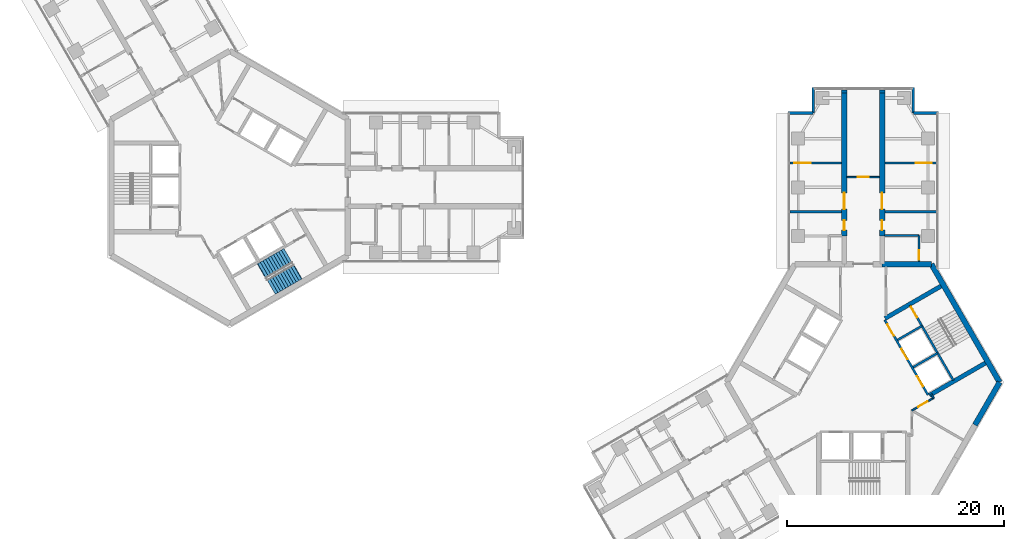
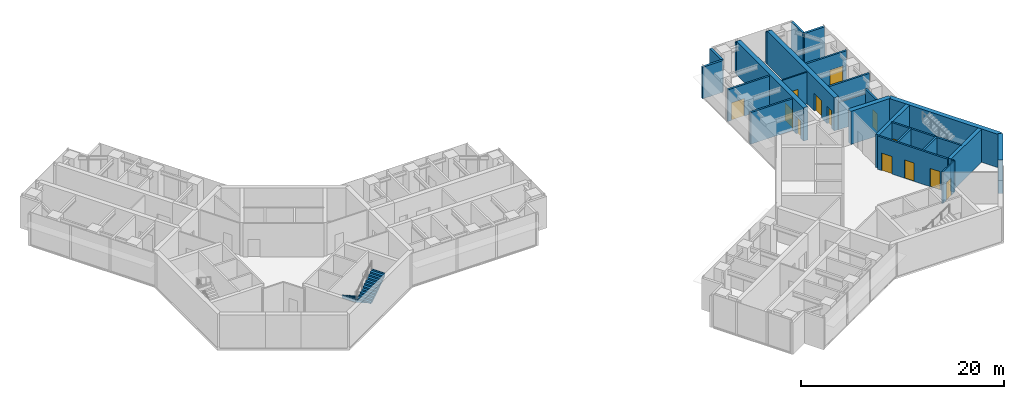
# One storey, part 15 of 17: 26 walls, 13 doors, 2 stair flights, 13 openings, 1 element without a shape of its own.
"""IFC4 building model written with IfcOpenShell, lengths in metres."""

from ifc_helpers import new_model, si_unit, direction, frame, frame_2d, origin, place, context, subcontext, project, spatial, polyline, rectangle, outline, extrude, material, layer, layer_set, type_object, element, fill, aggregate, save


model = new_model("IFC4")

# Units and contexts
model_context = context("Model", 3, precision=1e-05, world=origin(), true_north=direction((0.0, 1.0)))
body_context = subcontext(model_context, "Body", "Model", "MODEL_VIEW")
ifc_project = project(units=[si_unit("LENGTHUNIT", "METRE"), si_unit("AREAUNIT", "SQUARE_METRE"), si_unit("VOLUMEUNIT", "CUBIC_METRE"), si_unit("PLANEANGLEUNIT", "RADIAN"), si_unit("MASSUNIT", "GRAM", prefix="KILO")], contexts=[model_context])

# Site, building, storey
site_placement = place(None, origin())
site = spatial("IfcSite", under=ifc_project, at=site_placement, CompositionType="ELEMENT")
building_placement = place(site_placement, origin())
building = spatial("IfcBuilding", under=site, at=building_placement, Name="Upepo Twin Towers", CompositionType="ELEMENT")
storey_placement = place(building_placement, frame((0.0, 0.0, 186.5)))
storey = spatial("IfcBuildingStorey", under=building, at=storey_placement, Name="L45", CompositionType="ELEMENT", Elevation=186.5)

# Wall
ifc_material_1 = material(Name="Concrete blockwork, plastered both faces", Category="masonry")
ifc_layer_1 = layer(ifc_material_1, 0.215087890625)
ifc_layer_set_1 = layer_set([ifc_layer_1], Name="Blockwork partition 215")
wall_type_1 = type_object("IfcWallType", Name="Blockwork partition 215", PredefinedType="PARTITIONING", material=ifc_layer_set_1)
wall_1_placement = place(storey_placement, frame((56.5, -2.25, 0.0), z_axis=(0.0, 0.0, 1.0), x_axis=(-1.0, 0.0, 0.0)))
element("IfcWall", 1, at=wall_1_placement, inside=storey, type_object=wall_type_1, Name="T2 partition AL at 15.75", PredefinedType="PARTITIONING", context=body_context, shape_type="SweptSolid", body=[
    extrude(rectangle(XDim=4.75, YDim=0.215087890625, at=frame_2d((2.375, 0.0))), origin(), (0.0, 0.0, 1.0), 3.800048828125),
])

# Wall, opening, door
wall_2_placement = place(storey_placement, frame((56.5, 2.25, 0.0), z_axis=(0.0, 0.0, 1.0), x_axis=(-1.0, 0.0, 0.0)))
wall_2 = element("IfcWall", 2, at=wall_2_placement, inside=storey, type_object=wall_type_1, Name="T2 partition AL at 20.25", PredefinedType="PARTITIONING", context=body_context, shape_type="SweptSolid", body=[
    extrude(rectangle(XDim=4.75, YDim=0.215087890625, at=frame_2d((2.375, 0.0))), origin(), (0.0, 0.0, 1.0), 3.800048828125),
])
opening_1_placement = place(wall_2_placement, frame((2.85009765625, 0.0, 0.0)))
opening_1 = element("IfcOpeningElement", 3, at=opening_1_placement, cuts=wall_2, Name="Opening D13", PredefinedType="OPENING", context=body_context, shape_type="SweptSolid", body=[
    extrude(rectangle(XDim=1.5, YDim=2.10009765625, at=frame_2d((0.75, 1.050048828125))), frame((0.0, 0.117431640625, 0.0), z_axis=(0.0, -1.0, 0.0), x_axis=(1.0, 0.0, 0.0)), (0.0, 0.0, 1.0), 0.235107421875),
])
ifc_material_2 = material(Name="Timber doorset", Category="wood")
door_type_1 = type_object("IfcDoorType", Name="Double door 1500 FD30", OperationType="DOUBLE_DOOR_SINGLE_SWING", PredefinedType="DOOR", material=ifc_material_2)
door_1_placement = place(opening_1_placement, origin())
door_1 = element("IfcDoor", 4, at=door_1_placement, inside=storey, type_object=door_type_1, Name="T2 L45 connecting door", OperationType="DOUBLE_DOOR_SINGLE_SWING", OverallHeight=2.10009765625, OverallWidth=1.5, PredefinedType="DOOR", context=body_context, shape_type="SweptSolid", body=[
    extrude(rectangle(XDim=1.5, YDim=2.10009765625, at=frame_2d((0.75, 1.050048828125))), frame((0.0, 0.02490234375, 0.0), z_axis=(0.0, -1.0, 0.0), x_axis=(1.0, 0.0, 0.0)), (0.0, 0.0, 1.0), 0.050048828125),
])
fill(opening_1, door_1)

# Wall
wall_3_placement = place(storey_placement, frame((60.5, -2.25, 0.0), z_axis=(0.0, 0.0, 1.0), x_axis=(1.0, 0.0, 0.0)))
element("IfcWall", 5, at=wall_3_placement, inside=storey, type_object=wall_type_1, Name="T2 partition AR at 15.75", PredefinedType="PARTITIONING", context=body_context, shape_type="SweptSolid", body=[
    extrude(rectangle(XDim=4.75, YDim=0.215087890625, at=frame_2d((2.375, 0.0))), origin(), (0.0, 0.0, 1.0), 3.800048828125),
])

# Wall, opening, door
wall_4_placement = place(storey_placement, frame((60.5, 2.25, 0.0), z_axis=(0.0, 0.0, 1.0), x_axis=(1.0, 0.0, 0.0)))
wall_4 = element("IfcWall", 6, at=wall_4_placement, inside=storey, type_object=wall_type_1, Name="T2 partition AR at 20.25", PredefinedType="PARTITIONING", context=body_context, shape_type="SweptSolid", body=[
    extrude(rectangle(XDim=4.75, YDim=0.215087890625, at=frame_2d((2.375, 0.0))), origin(), (0.0, 0.0, 1.0), 3.800048828125),
])
opening_2_placement = place(wall_4_placement, frame((2.85009765625, 0.0, 0.0)))
opening_2 = element("IfcOpeningElement", 7, at=opening_2_placement, cuts=wall_4, Name="Opening D13", PredefinedType="OPENING", context=body_context, shape_type="SweptSolid", body=[
    extrude(rectangle(XDim=1.5, YDim=2.10009765625, at=frame_2d((0.75, 1.050048828125))), frame((0.0, 0.117431640625, 0.0), z_axis=(0.0, -1.0, 0.0), x_axis=(1.0, 0.0, 0.0)), (0.0, 0.0, 1.0), 0.235107421875),
])
door_2_placement = place(opening_2_placement, origin())
door_2 = element("IfcDoor", 8, at=door_2_placement, inside=storey, type_object=door_type_1, Name="T2 L45 connecting door", OperationType="DOUBLE_DOOR_SINGLE_SWING", OverallHeight=2.10009765625, OverallWidth=1.5, PredefinedType="DOOR", context=body_context, shape_type="SweptSolid", body=[
    extrude(rectangle(XDim=1.5, YDim=2.10009765625, at=frame_2d((0.75, 1.050048828125))), frame((0.0, 0.02490234375, 0.0), z_axis=(0.0, -1.0, 0.0), x_axis=(1.0, 0.0, 0.0)), (0.0, 0.0, 1.0), 0.050048828125),
])
fill(opening_2, door_2)

wall_5_placement = place(storey_placement, frame((63.64990234375, -6.842041015625, 0.0), z_axis=(0.0, 0.0, 1.0), x_axis=(0.0, 1.0, 0.0)))
wall_5 = element("IfcWall", 9, at=wall_5_placement, inside=storey, type_object=wall_type_1, Name="T2 WC bay partition AR at 11.16", PredefinedType="PARTITIONING", context=body_context, shape_type="SweptSolid", body=[
    extrude(rectangle(XDim=2.400146484375, YDim=0.215087890625, at=frame_2d((1.2001953125, 0.0))), origin(), (0.0, 0.0, 1.0), 3.800048828125),
])
opening_3_placement = place(wall_5_placement, frame((0.14990234375, 0.0, 0.0)))
opening_3 = element("IfcOpeningElement", 10, at=opening_3_placement, cuts=wall_5, Name="Opening D14", PredefinedType="OPENING", context=body_context, shape_type="SweptSolid", body=[
    extrude(rectangle(XDim=0.89990234375, YDim=2.10009765625, at=frame_2d((0.449951171875, 1.050048828125))), frame((0.0, 0.117431640625, 0.0), z_axis=(0.0, -1.0, 0.0), x_axis=(1.0, 0.0, 0.0)), (0.0, 0.0, 1.0), 0.235107421875),
])
ifc_material_3 = material(Name="Timber doorset", Category="wood")
door_type_2 = type_object("IfcDoorType", Name="Office door 900 FD30", OperationType="SINGLE_SWING_LEFT", PredefinedType="DOOR", material=ifc_material_3)
door_3_placement = place(opening_3_placement, origin())
door_3 = element("IfcDoor", 11, at=door_3_placement, inside=storey, type_object=door_type_2, Name="T2 L45 WC bay inner room door", OperationType="SINGLE_SWING_LEFT", OverallHeight=2.10009765625, OverallWidth=0.89990234375, PredefinedType="DOOR", context=body_context, shape_type="SweptSolid", body=[
    extrude(rectangle(XDim=0.89990234375, YDim=2.10009765625, at=frame_2d((0.449951171875, 1.050048828125))), frame((0.0, 0.02490234375, 0.0), z_axis=(0.0, -1.0, 0.0), x_axis=(1.0, 0.0, 0.0)), (0.0, 0.0, 1.0), 0.050048828125),
])
fill(opening_3, door_3)

# Walls
wall_6_placement = place(storey_placement, frame((60.449951171875, -4.44189453125, 0.0), z_axis=(0.0, 0.0, 1.0), x_axis=(1.0, 0.0, 0.0)))
element("IfcWall", 12, at=wall_6_placement, inside=storey, type_object=wall_type_1, Name="T2 WC bay partition AR end at 13.56", PredefinedType="PARTITIONING", context=body_context, shape_type="SweptSolid", body=[
    extrude(rectangle(XDim=3.199951171875, YDim=0.215087890625, at=frame_2d((1.60009765625, 0.0))), origin(), (0.0, 0.0, 1.0), 3.266845703125),
])
ifc_material_4 = material(Name="Dense concrete blockwork", Category="masonry")
ifc_layer_2 = layer(ifc_material_4, 0.5)
ifc_layer_set_2 = layer_set([ifc_layer_2], Name="Buttress closer 500, blockwork with fire-stopping to the curtain wall")
wall_type_2 = type_object("IfcWallType", Name="Buttress closer 500, blockwork with fire-stopping to the curtain wall", PredefinedType="PARTITIONING", material=ifc_layer_set_2)
for number, where, z_axis, x_axis, name in (
    (13, (56.75, 8.699951171875, 0.0), (0.0, 0.0, 1.0), (0.0, 1.0, 0.0), "T2 L45 wing A buttress closer L"),
    (14, (60.25, 8.699951171875, 0.0), (0.0, 0.0, 1.0), (0.0, 1.0, 0.0), "T2 L45 wing A buttress closer R"),
):
    element("IfcWall", number, at=place(storey_placement, frame(where, z_axis=z_axis, x_axis=x_axis)), inside=storey, type_object=wall_type_2, Name=name, PredefinedType="PARTITIONING", context=body_context, shape_type="SweptSolid", body=[
        extrude(rectangle(XDim=0.28759765625, YDim=0.5, at=frame_2d((0.143798828125, 0.0))), origin(), (0.0, 0.0, 1.0), 3.800048828125),
    ])

# Wall, openings, doors
ifc_material_5 = material(Name="Concrete C60/75", Category="concrete")
ifc_layer_3 = layer(ifc_material_5, 0.5)
ifc_layer_set_3 = layer_set([ifc_layer_3], Name="Concrete C60/75")
wall_type_3 = type_object("IfcWallType", Name="Buttress wall 500 RC", PredefinedType="SHEAR", material=ifc_layer_set_3)
wall_7_placement = place(storey_placement, frame((56.75, -4.5, 0.0), z_axis=(0.0, 0.0, 1.0), x_axis=(0.0, 1.0, 0.0)))
wall_7 = element("IfcWall", 15, at=wall_7_placement, inside=storey, type_object=wall_type_3, Name="T2 wing A buttress wall L part 2", PredefinedType="SHEAR", context=body_context, shape_type="SweptSolid", body=[
    extrude(rectangle(XDim=13.199951171875, YDim=0.5, at=frame_2d((6.60009765625, 0.0))), origin(), (0.0, 0.0, 1.0), 4.0),
])
opening_4_placement = place(wall_7_placement, frame((0.550048828125, 0.0, 0.0)))
opening_4 = element("IfcOpeningElement", 16, at=opening_4_placement, cuts=wall_7, Name="Opening D11", PredefinedType="OPENING", context=body_context, shape_type="SweptSolid", body=[
    extrude(rectangle(XDim=0.89990234375, YDim=2.10009765625, at=frame_2d((0.449951171875, 1.050048828125))), frame((0.0, 0.260009765625, 0.0), z_axis=(0.0, -1.0, 0.0), x_axis=(1.0, 0.0, 0.0)), (0.0, 0.0, 1.0), 0.52001953125),
])
opening_5_placement = place(wall_7_placement, frame((2.5, 0.0, 0.0)))
opening_5 = element("IfcOpeningElement", 17, at=opening_5_placement, cuts=wall_7, Name="Opening D13", PredefinedType="OPENING", context=body_context, shape_type="SweptSolid", body=[
    extrude(rectangle(XDim=1.5, YDim=2.10009765625, at=frame_2d((0.75, 1.050048828125))), frame((0.0, 0.260009765625, 0.0), z_axis=(0.0, -1.0, 0.0), x_axis=(1.0, 0.0, 0.0)), (0.0, 0.0, 1.0), 0.52001953125),
])
door_4_placement = place(opening_5_placement, origin())
door_4 = element("IfcDoor", 18, at=door_4_placement, inside=storey, type_object=door_type_1, Name="T2 L45 tutorial room door", OperationType="DOUBLE_DOOR_SINGLE_SWING", OverallHeight=2.10009765625, OverallWidth=1.5, PredefinedType="DOOR", context=body_context, shape_type="SweptSolid", body=[
    extrude(rectangle(XDim=1.5, YDim=2.10009765625, at=frame_2d((0.75, 1.050048828125))), frame((0.0, 0.02490234375, 0.0), z_axis=(0.0, -1.0, 0.0), x_axis=(1.0, 0.0, 0.0)), (0.0, 0.0, 1.0), 0.050048828125),
])
fill(opening_5, door_4)
ifc_material_6 = material(Name="Timber doorset", Category="wood")
door_type_3 = type_object("IfcDoorType", Name="Toilet door 900", OperationType="SINGLE_SWING_LEFT", PredefinedType="DOOR", material=ifc_material_6)
door_5_placement = place(opening_4_placement, origin())
door_5 = element("IfcDoor", 19, at=door_5_placement, inside=storey, type_object=door_type_3, Name="T2 L45 toilets door", OperationType="SINGLE_SWING_LEFT", OverallHeight=2.10009765625, OverallWidth=0.89990234375, PredefinedType="DOOR", context=body_context, shape_type="SweptSolid", body=[
    extrude(rectangle(XDim=0.89990234375, YDim=2.10009765625, at=frame_2d((0.449951171875, 1.050048828125))), frame((0.0, 0.02490234375, 0.0), z_axis=(0.0, -1.0, 0.0), x_axis=(1.0, 0.0, 0.0)), (0.0, 0.0, 1.0), 0.050048828125),
])
fill(opening_4, door_5)

wall_8_placement = place(storey_placement, frame((60.25, -4.5, 0.0), z_axis=(0.0, 0.0, 1.0), x_axis=(0.0, 1.0, 0.0)))
wall_8 = element("IfcWall", 20, at=wall_8_placement, inside=storey, type_object=wall_type_3, Name="T2 wing A buttress wall R part 2", PredefinedType="SHEAR", context=body_context, shape_type="SweptSolid", body=[
    extrude(rectangle(XDim=13.199951171875, YDim=0.5, at=frame_2d((6.60009765625, 0.0))), origin(), (0.0, 0.0, 1.0), 4.0),
])
opening_6_placement = place(wall_8_placement, frame((0.550048828125, 0.0, 0.0)))
opening_6 = element("IfcOpeningElement", 21, at=opening_6_placement, cuts=wall_8, Name="Opening D11", PredefinedType="OPENING", context=body_context, shape_type="SweptSolid", body=[
    extrude(rectangle(XDim=0.89990234375, YDim=2.10009765625, at=frame_2d((0.449951171875, 1.050048828125))), frame((0.0, 0.260009765625, 0.0), z_axis=(0.0, -1.0, 0.0), x_axis=(1.0, 0.0, 0.0)), (0.0, 0.0, 1.0), 0.52001953125),
])
opening_7_placement = place(wall_8_placement, frame((2.5, 0.0, 0.0)))
opening_7 = element("IfcOpeningElement", 22, at=opening_7_placement, cuts=wall_8, Name="Opening D13", PredefinedType="OPENING", context=body_context, shape_type="SweptSolid", body=[
    extrude(rectangle(XDim=1.5, YDim=2.10009765625, at=frame_2d((0.75, 1.050048828125))), frame((0.0, 0.260009765625, 0.0), z_axis=(0.0, -1.0, 0.0), x_axis=(1.0, 0.0, 0.0)), (0.0, 0.0, 1.0), 0.52001953125),
])
door_6_placement = place(opening_7_placement, origin())
door_6 = element("IfcDoor", 23, at=door_6_placement, inside=storey, type_object=door_type_1, Name="T2 L45 lecture room door", OperationType="DOUBLE_DOOR_SINGLE_SWING", OverallHeight=2.10009765625, OverallWidth=1.5, PredefinedType="DOOR", context=body_context, shape_type="SweptSolid", body=[
    extrude(rectangle(XDim=1.5, YDim=2.10009765625, at=frame_2d((0.75, 1.050048828125))), frame((0.0, 0.02490234375, 0.0), z_axis=(0.0, -1.0, 0.0), x_axis=(1.0, 0.0, 0.0)), (0.0, 0.0, 1.0), 0.050048828125),
])
fill(opening_7, door_6)
door_7_placement = place(opening_6_placement, origin())
door_7 = element("IfcDoor", 24, at=door_7_placement, inside=storey, type_object=door_type_3, Name="T2 L45 accessible wc door", OperationType="SINGLE_SWING_LEFT", OverallHeight=2.10009765625, OverallWidth=0.89990234375, PredefinedType="DOOR", context=body_context, shape_type="SweptSolid", body=[
    extrude(rectangle(XDim=0.89990234375, YDim=2.10009765625, at=frame_2d((0.449951171875, 1.050048828125))), frame((0.0, 0.02490234375, 0.0), z_axis=(0.0, -1.0, 0.0), x_axis=(1.0, 0.0, 0.0)), (0.0, 0.0, 1.0), 0.050048828125),
])
fill(opening_6, door_7)

# Walls
ifc_material_7 = material(Name="Concrete C60/75", Category="concrete")
ifc_layer_4 = layer(ifc_material_7, 0.5)
ifc_layer_set_4 = layer_set([ifc_layer_4], Name="Concrete C60/75")
wall_type_4 = type_object("IfcWallType", Name="Core wall 500 RC", PredefinedType="SHEAR", material=ifc_layer_set_4)
wall_9_placement = place(storey_placement, frame((64.7978515625, -7.091552734375, 0.0), z_axis=(0.0, 0.0, 1.0), x_axis=(-1.0, 0.0, 0.0)))
element("IfcWall", 25, at=wall_9_placement, inside=storey, type_object=wall_type_4, Name="T2 core wall 000 R", PredefinedType="SHEAR", context=body_context, shape_type="SweptSolid", body=[
    extrude(rectangle(XDim=4.5478515625, YDim=0.5, at=frame_2d((2.27392578125, 0.0))), origin(), (0.0, 0.0, 1.0), 4.0),
])
wall_10_placement = place(storey_placement, frame((68.82177734375, -21.938720703125, 0.0), z_axis=(0.0, 0.0, 1.0), x_axis=(0.500024481964, 0.866011268655, 0.0)))
element("IfcWall", 26, at=wall_10_placement, inside=storey, type_object=wall_type_4, Name="T2 core wall 240 L", PredefinedType="SHEAR", context=body_context, shape_type="SweptSolid", body=[
    extrude(rectangle(XDim=4.548095703125, YDim=0.5, at=frame_2d((2.27392578125, 0.0))), origin(), (0.0, 0.0, 1.0), 4.0),
])
wall_11_placement = place(storey_placement, frame((71.095947265625, -18.0, 0.0), z_axis=(0.0, 0.0, 1.0), x_axis=(-0.500005998175, 0.866021940709, 0.0)))
element("IfcWall", 27, at=wall_11_placement, inside=storey, type_object=wall_type_4, Name="T2 core wall 300", PredefinedType="SHEAR", context=body_context, shape_type="SweptSolid", body=[
    extrude(rectangle(XDim=12.595947265625, YDim=0.5, at=frame_2d((6.2978515625, 0.0))), origin(), (0.0, 0.0, 1.0), 4.0),
])
ifc_material_8 = material(Name="Blockwork with anodised aluminium cladding", Category="masonry")
ifc_layer_5 = layer(ifc_material_8, 0.25)
ifc_layer_set_5 = layer_set([ifc_layer_5], Name="Notch cladding wall 250, pale metal")
wall_type_5 = type_object("IfcWallType", Name="Notch cladding wall 250, pale metal", PredefinedType="STANDARD", material=ifc_layer_set_5)
for number, where, z_axis, x_axis, name in (
    (28, (51.550048828125, 6.875, 0.0), (0.0, 0.0, 1.0), (1.0, 0.0, 0.0), "T2 L45 wing A notch wall L1"),
    (29, (53.875, 6.875, 0.0), (0.0, 0.0, 1.0), (0.0, 1.0, 0.0), "T2 L45 wing A notch wall L2"),
    (30, (65.449951171875, 6.875, 0.0), (0.0, 0.0, 1.0), (-1.0, 0.0, 0.0), "T2 L45 wing A notch wall R1"),
    (31, (63.125, 6.875, 0.0), (0.0, 0.0, 1.0), (0.0, 1.0, 0.0), "T2 L45 wing A notch wall R2"),
):
    element("IfcWall", number, at=place(storey_placement, frame(where, z_axis=z_axis, x_axis=x_axis)), inside=storey, type_object=wall_type_5, Name=name, PredefinedType="STANDARD", context=body_context, shape_type="SweptSolid", body=[
        extrude(rectangle(XDim=2.324951171875, YDim=0.25, at=frame_2d((1.16259765625, 0.0))), origin(), (0.0, 0.0, 1.0), 3.800048828125),
    ])

# Wall, openings, doors
ifc_material_9 = material(Name="Concrete C40/50", Category="concrete")
ifc_layer_6 = layer(ifc_material_9, 0.199951171875)
ifc_layer_set_6 = layer_set([ifc_layer_6], Name="Concrete C40/50")
wall_type_6 = type_object("IfcWallType", Name="Shaft wall 200 RC", PredefinedType="SHEAR", material=ifc_layer_set_6)
wall_12_placement = place(storey_placement, frame((64.483642578125, -19.1640625, 0.0), z_axis=(0.0, 0.0, 1.0), x_axis=(-0.49999894854, 0.866026010844, 0.0)))
wall_12 = element("IfcWall", 32, at=wall_12_placement, inside=storey, type_object=wall_type_6, Name="T2 core W300 front wall", PredefinedType="SHEAR", context=body_context, shape_type="SweptSolid", body=[
    extrude(rectangle(XDim=8.0, YDim=0.199951171875, at=frame_2d((4.0, 0.0))), origin(), (0.0, 0.0, 1.0), 4.0),
])
opening_8_placement = place(wall_12_placement, frame((6.300048828125, 0.0, 0.0)))
opening_8 = element("IfcOpeningElement", 33, at=opening_8_placement, cuts=wall_12, Name="Opening D4", PredefinedType="OPENING", context=body_context, shape_type="SweptSolid", body=[
    extrude(rectangle(XDim=1.199951171875, YDim=2.10009765625, at=frame_2d((0.60009765625, 1.050048828125))), frame((0.0, 0.10986328125, 0.0), z_axis=(0.0, -1.0, 0.0), x_axis=(1.0, 0.0, 0.0)), (0.0, 0.0, 1.0), 0.219970703125),
])
opening_9_placement = place(wall_12_placement, frame((0.89990234375, 0.0, 0.0)))
opening_9 = element("IfcOpeningElement", 34, at=opening_9_placement, cuts=wall_12, Name="Opening LD1", PredefinedType="OPENING", context=body_context, shape_type="SweptSolid", body=[
    extrude(rectangle(XDim=1.10009765625, YDim=2.199951171875, at=frame_2d((0.550048828125, 1.10009765625))), frame((0.0, 0.10986328125, 0.0), z_axis=(0.0, -1.0, 0.0), x_axis=(1.0, 0.0, 0.0)), (0.0, 0.0, 1.0), 0.219970703125),
])
opening_10_placement = place(wall_12_placement, frame((3.800048828125, 0.0, 0.0)))
opening_10 = element("IfcOpeningElement", 35, at=opening_10_placement, cuts=wall_12, Name="Opening LD1", PredefinedType="OPENING", context=body_context, shape_type="SweptSolid", body=[
    extrude(rectangle(XDim=1.10009765625, YDim=2.199951171875, at=frame_2d((0.550048828125, 1.10009765625))), frame((0.0, 0.10986328125, 0.0), z_axis=(0.0, -1.0, 0.0), x_axis=(1.0, 0.0, 0.0)), (0.0, 0.0, 1.0), 0.219970703125),
])
ifc_material_10 = material(Name="Steel doorset", Category="steel")
door_type_4 = type_object("IfcDoorType", Name="Lift landing door 1100", OperationType="DOUBLE_DOOR_SLIDING", PredefinedType="DOOR", material=ifc_material_10)
door_8_placement = place(opening_9_placement, origin())
door_8 = element("IfcDoor", 36, at=door_8_placement, inside=storey, type_object=door_type_4, Name="T2 L45 lift UL1 landing door", OperationType="DOUBLE_DOOR_SLIDING", OverallHeight=2.199951171875, OverallWidth=1.10009765625, PredefinedType="DOOR", context=body_context, shape_type="SweptSolid", body=[
    extrude(rectangle(XDim=1.10009765625, YDim=2.199951171875, at=frame_2d((0.550048828125, 1.10009765625))), frame((0.0, 0.02490234375, 0.0), z_axis=(0.0, -1.0, 0.0), x_axis=(1.0, 0.0, 0.0)), (0.0, 0.0, 1.0), 0.050048828125),
])
fill(opening_9, door_8)
door_9_placement = place(opening_10_placement, origin())
door_9 = element("IfcDoor", 37, at=door_9_placement, inside=storey, type_object=door_type_4, Name="T2 L45 lift UL2 landing door", OperationType="DOUBLE_DOOR_SLIDING", OverallHeight=2.199951171875, OverallWidth=1.10009765625, PredefinedType="DOOR", context=body_context, shape_type="SweptSolid", body=[
    extrude(rectangle(XDim=1.10009765625, YDim=2.199951171875, at=frame_2d((0.550048828125, 1.10009765625))), frame((0.0, 0.02490234375, 0.0), z_axis=(0.0, -1.0, 0.0), x_axis=(1.0, 0.0, 0.0)), (0.0, 0.0, 1.0), 0.050048828125),
])
fill(opening_10, door_9)
ifc_material_11 = material(Name="Timber doorset", Category="wood")
door_type_5 = type_object("IfcDoorType", Name="Lobby door 1200 FD60", OperationType="SINGLE_SWING_LEFT", PredefinedType="DOOR", material=ifc_material_11)
door_10_placement = place(opening_8_placement, origin())
door_10 = element("IfcDoor", 38, at=door_10_placement, inside=storey, type_object=door_type_5, Name="T2 L45 W300 lobby door", OperationType="SINGLE_SWING_RIGHT", OverallHeight=2.10009765625, OverallWidth=1.199951171875, PredefinedType="DOOR", context=body_context, shape_type="SweptSolid", body=[
    extrude(rectangle(XDim=1.199951171875, YDim=2.10009765625, at=frame_2d((0.60009765625, 1.050048828125))), frame((0.0, 0.02490234375, 0.0), z_axis=(0.0, -1.0, 0.0), x_axis=(1.0, 0.0, 0.0)), (0.0, 0.0, 1.0), 0.050048828125),
])
fill(opening_8, door_10)

# Walls
wall_13_placement = place(storey_placement, frame((63.120361328125, -16.6025390625, 0.0), z_axis=(0.0, 0.0, 1.0), x_axis=(0.866062058628, 0.499936506574, 0.0)))
element("IfcWall", 39, at=wall_13_placement, inside=storey, type_object=wall_type_6, Name="T2 core W300 shaft divider", PredefinedType="SHEAR", context=body_context, shape_type="SweptSolid", body=[
    extrude(rectangle(XDim=2.599853515625, YDim=0.199951171875, at=frame_2d((1.2998046875, 0.0))), origin(), (0.0, 0.0, 1.0), 4.0),
])
wall_14_placement = place(storey_placement, frame((61.67041015625, -14.091064453125, 0.0), z_axis=(0.0, 0.0, 1.0), x_axis=(0.86603858612, 0.49997716683, 0.0)))
element("IfcWall", 40, at=wall_14_placement, inside=storey, type_object=wall_type_6, Name="T2 core W300 lobby wall", PredefinedType="SHEAR", context=body_context, shape_type="SweptSolid", body=[
    extrude(rectangle(XDim=2.599609375, YDim=0.199951171875, at=frame_2d((1.2998046875, 0.0))), origin(), (0.0, 0.0, 1.0), 4.0),
])

# Wall, opening, door
wall_15_placement = place(storey_placement, frame((66.822021484375, -17.814208984375, 0.0), z_axis=(0.0, 0.0, 1.0), x_axis=(-0.49999894854, 0.866026010844, 0.0)))
wall_15 = element("IfcWall", 41, at=wall_15_placement, inside=storey, type_object=wall_type_6, Name="T2 core W300 stair wall", PredefinedType="SHEAR", context=body_context, shape_type="SweptSolid", body=[
    extrude(rectangle(XDim=8.0, YDim=0.199951171875, at=frame_2d((4.0, 0.0))), origin(), (0.0, 0.0, 1.0), 4.0),
])
opening_11_placement = place(wall_15_placement, frame((6.699951171875, 0.0, 0.0)))
opening_11 = element("IfcOpeningElement", 42, at=opening_11_placement, cuts=wall_15, Name="Opening D3", PredefinedType="OPENING", context=body_context, shape_type="SweptSolid", body=[
    extrude(rectangle(XDim=1.10009765625, YDim=2.10009765625, at=frame_2d((0.550048828125, 1.050048828125))), frame((0.0, 0.10986328125, 0.0), z_axis=(0.0, -1.0, 0.0), x_axis=(1.0, 0.0, 0.0)), (0.0, 0.0, 1.0), 0.219970703125),
])
ifc_material_12 = material(Name="Timber doorset", Category="wood")
door_type_6 = type_object("IfcDoorType", Name="Stair door 1100 FD60", OperationType="SINGLE_SWING_LEFT", PredefinedType="DOOR", material=ifc_material_12)
door_11_placement = place(opening_11_placement, origin())
door_11 = element("IfcDoor", 43, at=door_11_placement, inside=storey, type_object=door_type_6, Name="T2 L45 stair door", OperationType="SINGLE_SWING_RIGHT", OverallHeight=2.10009765625, OverallWidth=1.10009765625, PredefinedType="DOOR", context=body_context, shape_type="SweptSolid", body=[
    extrude(rectangle(XDim=1.10009765625, YDim=2.10009765625, at=frame_2d((0.550048828125, 1.050048828125))), frame((0.0, 0.02490234375, 0.0), z_axis=(0.0, -1.0, 0.0), x_axis=(1.0, 0.0, 0.0)), (0.0, 0.0, 1.0), 0.050048828125),
])
fill(opening_11, door_11)

# Walls
ifc_material_13 = material(Name="Concrete C40/50", Category="concrete")
ifc_layer_7 = layer(ifc_material_13, 0.39990234375)
ifc_layer_set_7 = layer_set([ifc_layer_7], Name="Concrete C40/50")
wall_type_7 = type_object("IfcWallType", Name="Shaft wall 400 RC", PredefinedType="SHEAR", material=ifc_layer_set_7)
wall_16_placement = place(storey_placement, frame((60.520263671875, -12.099365234375, 0.0), z_axis=(0.0, 0.0, 1.0), x_axis=(0.86602319114, 0.500003832394, 0.0)))
element("IfcWall", 44, at=wall_16_placement, inside=storey, type_object=wall_type_7, Name="T2 core W300 side wall N", PredefinedType="SHEAR", context=body_context, shape_type="SweptSolid", body=[
    extrude(rectangle(XDim=5.95849609375, YDim=0.39990234375, at=frame_2d((2.979248046875, 0.0))), origin(), (0.0, 0.0, 1.0), 4.0),
])
wall_17_placement = place(storey_placement, frame((64.620361328125, -19.20068359375, 0.0), z_axis=(0.0, 0.0, 1.0), x_axis=(0.866012946976, 0.500021575205, 0.0)))
element("IfcWall", 45, at=wall_17_placement, inside=storey, type_object=wall_type_7, Name="T2 core W300 side wall S", PredefinedType="SHEAR", context=body_context, shape_type="SweptSolid", body=[
    extrude(rectangle(XDim=5.958251953125, YDim=0.39990234375, at=frame_2d((2.97900390625, 0.0))), origin(), (0.0, 0.0, 1.0), 4.0),
])
ifc_material_14 = material(Name="Gypsum board on steel studs", Category="steel")
ifc_layer_8 = layer(ifc_material_14, 0.14990234375)
ifc_layer_set_8 = layer_set([ifc_layer_8], Name="Teaching partition 150 acoustic")
wall_type_8 = type_object("IfcWallType", Name="Teaching partition 150 acoustic", PredefinedType="PARTITIONING", material=ifc_layer_set_8)
wall_18_placement = place(storey_placement, frame((64.78857421875, -19.092041015625, 0.0), z_axis=(0.0, 0.0, 1.0), x_axis=(0.499804398801, -0.866138304741, 0.0)))
element("IfcWall", 46, at=wall_18_placement, inside=storey, type_object=wall_type_8, Name="T2 core room partition 6", PredefinedType="PARTITIONING", context=body_context, shape_type="SweptSolid", body=[
    extrude(rectangle(XDim=0.429931640625, YDim=0.14990234375, at=frame_2d((0.21484375, 0.0))), origin(), (0.0, 0.0, 1.0), 3.800048828125),
])

# Wall, opening, door
wall_19_placement = place(storey_placement, frame((65.0107421875, -19.43701171875, 0.0), z_axis=(0.0, 0.0, 1.0), x_axis=(-0.865982457891, -0.500074377092, 0.0)))
wall_19 = element("IfcWall", 47, at=wall_19_placement, inside=storey, type_object=wall_type_8, Name="T2 core room partition 7", PredefinedType="PARTITIONING", context=body_context, shape_type="SweptSolid", body=[
    extrude(rectangle(XDim=2.342041015625, YDim=0.14990234375, at=frame_2d((1.1708984375, 0.0))), origin(), (0.0, 0.0, 1.0), 3.800048828125),
])
opening_12_placement = place(wall_19_placement, frame((0.660888671875, 0.0, 0.0)))
opening_12 = element("IfcOpeningElement", 48, at=opening_12_placement, cuts=wall_19, Name="Opening D1", PredefinedType="OPENING", context=body_context, shape_type="SweptSolid", body=[
    extrude(rectangle(XDim=1.0, YDim=2.10009765625, at=frame_2d((0.5, 1.050048828125))), frame((0.0, 0.0849609375, 0.0), z_axis=(0.0, -1.0, 0.0), x_axis=(1.0, 0.0, 0.0)), (0.0, 0.0, 1.0), 0.169921875),
])
ifc_material_15 = material(Name="Timber doorset", Category="wood")
door_type_7 = type_object("IfcDoorType", Name="Room door 1000 FD30", OperationType="SINGLE_SWING_LEFT", PredefinedType="DOOR", material=ifc_material_15)
door_12_placement = place(opening_12_placement, origin())
door_12 = element("IfcDoor", 49, at=door_12_placement, inside=storey, type_object=door_type_7, Name="T2 L45 core room door K4", OperationType="SINGLE_SWING_LEFT", OverallHeight=2.10009765625, OverallWidth=1.0, PredefinedType="DOOR", context=body_context, shape_type="SweptSolid", body=[
    extrude(rectangle(XDim=1.0, YDim=2.10009765625, at=frame_2d((0.5, 1.050048828125))), frame((0.0, 0.02490234375, 0.0), z_axis=(0.0, -1.0, 0.0), x_axis=(1.0, 0.0, 0.0)), (0.0, 0.0, 1.0), 0.050048828125),
])
fill(opening_12, door_12)

wall_20_placement = place(storey_placement, frame((60.0, 0.949951171875, 0.0), z_axis=(0.0, 0.0, 1.0), x_axis=(-1.0, 0.0, 0.0)))
wall_20 = element("IfcWall", 50, at=wall_20_placement, inside=storey, type_object=wall_type_8, Name="T2 corridor end partition A at 18.95", PredefinedType="PARTITIONING", context=body_context, shape_type="SweptSolid", body=[
    extrude(rectangle(XDim=3.0, YDim=0.14990234375, at=frame_2d((1.5, 0.0))), origin(), (0.0, 0.0, 1.0), 3.800048828125),
])
opening_13_placement = place(wall_20_placement, frame((1.0, 0.0, 0.0)))
opening_13 = element("IfcOpeningElement", 51, at=opening_13_placement, cuts=wall_20, Name="Opening D1", PredefinedType="OPENING", context=body_context, shape_type="SweptSolid", body=[
    extrude(rectangle(XDim=1.0, YDim=2.10009765625, at=frame_2d((0.5, 1.050048828125))), frame((0.0, 0.0849609375, 0.0), z_axis=(0.0, -1.0, 0.0), x_axis=(1.0, 0.0, 0.0)), (0.0, 0.0, 1.0), 0.169921875),
])
door_13_placement = place(opening_13_placement, origin())
door_13 = element("IfcDoor", 52, at=door_13_placement, inside=storey, type_object=door_type_7, Name="T2 L45 breakout study room door", OperationType="SINGLE_SWING_LEFT", OverallHeight=2.10009765625, OverallWidth=1.0, PredefinedType="DOOR", context=body_context, shape_type="SweptSolid", body=[
    extrude(rectangle(XDim=1.0, YDim=2.10009765625, at=frame_2d((0.5, 1.050048828125))), frame((0.0, 0.02490234375, 0.0), z_axis=(0.0, -1.0, 0.0), x_axis=(1.0, 0.0, 0.0)), (0.0, 0.0, 1.0), 0.050048828125),
])
fill(opening_13, door_13)

# Stair, stair flights
ifc_material_16 = material(Name="Concrete C40/50", Category="concrete")
stair_type = type_object("IfcStairType", Name="Core stair, two flights", PredefinedType="HALF_TURN_STAIR", material=ifc_material_16)
stair_placement = place(storey_placement, origin())
stair = element("IfcStair", 53, at=stair_placement, inside=storey, type_object=stair_type, Name="T1 stair S2 L45", PredefinedType="HALF_TURN_STAIR")
ifc_material_17 = material(Name="Concrete C40/50", Category="concrete")
stair_flight_type = type_object("IfcStairFlightType", Name="Stair flight 1550 RC", PredefinedType="STRAIGHT", material=ifc_material_17)
stair_flight_1_placement = place(storey_placement, frame((5.40380859375, -6.31982421875, 0.0), z_axis=(0.0, 0.0, 1.0), x_axis=(-0.866025403784, -0.5, 0.0)))
stair_flight_1 = element("IfcStairFlight", 54, at=stair_flight_1_placement, type_object=stair_flight_type, Name="Stair S2 flight 1", NumberOfRisers=11, NumberOfTreads=10, PredefinedType="STRAIGHT", RiserHeight=0.181818182, TreadLength=0.28, context=body_context, shape_type="SweptSolid", body=[
    extrude(outline(polyline([(0.0, 0.0), (0.0, 0.181884765625), (0.280029296875, 0.181884765625), (0.280029296875, 0.363525390625), (0.56005859375, 0.363525390625), (0.56005859375, 0.54541015625), (0.840087890625, 0.54541015625), (0.840087890625, 0.727294921875), (1.1201171875, 0.727294921875), (1.1201171875, 0.9091796875), (1.39990234375, 0.9091796875), (1.39990234375, 1.0908203125), (1.679931640625, 1.0908203125), (1.679931640625, 1.272705078125), (1.9599609375, 1.272705078125), (1.9599609375, 1.45458984375), (2.239990234375, 1.45458984375), (2.239990234375, 1.636474609375), (2.52001953125, 1.636474609375), (2.52001953125, 1.818115234375), (2.800048828125, 1.818115234375), (2.800048828125, 2.0), (2.85009765625, 2.0), (2.85009765625, 1.639404296875), (0.3251953125, 0.0), (0.0, 0.0)])), frame((0.0, 0.77490234375, 0.0), z_axis=(0.0, -1.0, 0.0), x_axis=(1.0, 0.0, 0.0)), (0.0, 0.0, 1.0), 1.550048828125),
])
stair_flight_2_placement = place(storey_placement, frame((3.833251953125, -9.19921875, 2.0), z_axis=(0.0, 0.0, 1.0), x_axis=(0.866025403784, 0.5, 0.0)))
stair_flight_2 = element("IfcStairFlight", 55, at=stair_flight_2_placement, type_object=stair_flight_type, Name="Stair S2 flight 2", NumberOfRisers=11, NumberOfTreads=10, PredefinedType="STRAIGHT", RiserHeight=0.181818182, TreadLength=0.28, context=body_context, shape_type="SweptSolid", body=[
    extrude(outline(polyline([(0.0, 0.0), (0.0, 0.181884765625), (0.280029296875, 0.181884765625), (0.280029296875, 0.363525390625), (0.56005859375, 0.363525390625), (0.56005859375, 0.54541015625), (0.840087890625, 0.54541015625), (0.840087890625, 0.727294921875), (1.1201171875, 0.727294921875), (1.1201171875, 0.9091796875), (1.39990234375, 0.9091796875), (1.39990234375, 1.0908203125), (1.679931640625, 1.0908203125), (1.679931640625, 1.272705078125), (1.9599609375, 1.272705078125), (1.9599609375, 1.45458984375), (2.239990234375, 1.45458984375), (2.239990234375, 1.636474609375), (2.52001953125, 1.636474609375), (2.52001953125, 1.818115234375), (2.800048828125, 1.818115234375), (2.800048828125, 2.0), (2.85009765625, 2.0), (2.85009765625, 1.639404296875), (0.3251953125, 0.0), (0.0, 0.0)])), frame((0.0, 0.77490234375, 0.0), z_axis=(0.0, -1.0, 0.0), x_axis=(1.0, 0.0, 0.0)), (0.0, 0.0, 1.0), 1.550048828125),
])
aggregate(stair, [stair_flight_1, stair_flight_2])

save(model, "model.ifc")
